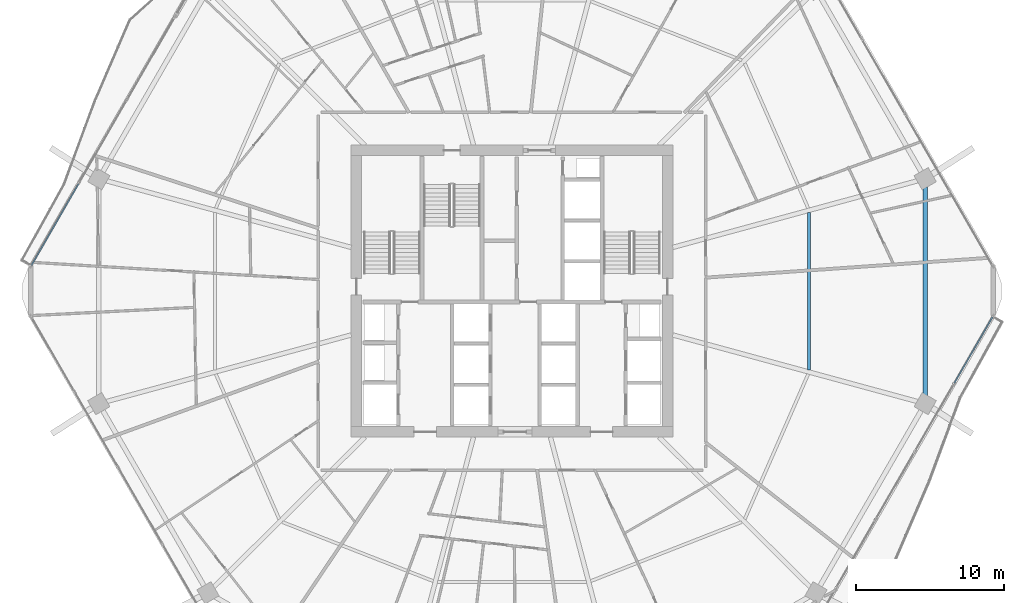
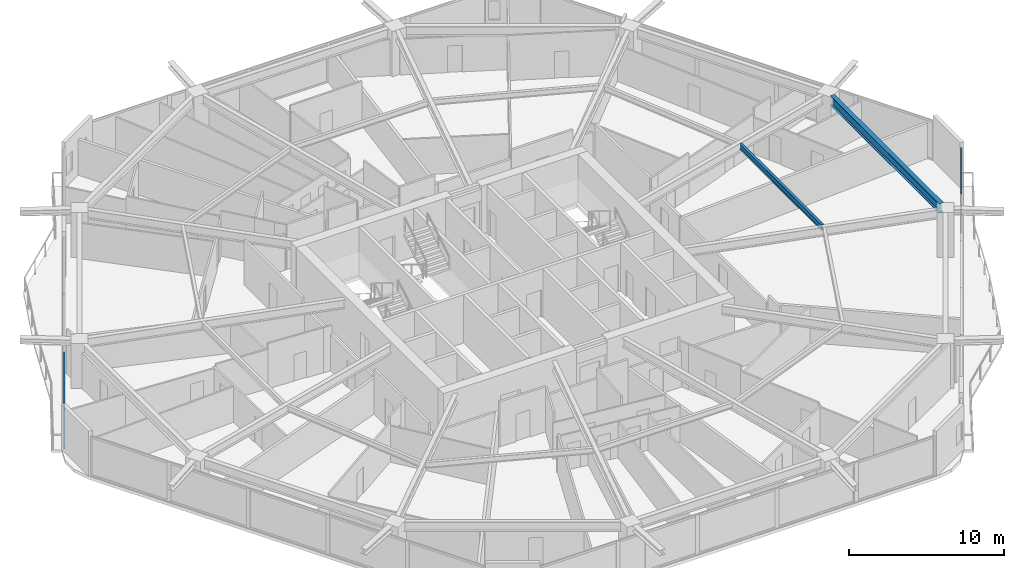
# One storey, part 12 of 33: 4 members, 2 beams, 2 elements without a shape of their own.
"""IFC4 building model written with IfcOpenShell, lengths in metres."""

import ifcopenshell
import ifcopenshell.guid

model = None  # the IFC model being written
_history = None  # IfcOwnerHistory: only IFC2X3 demands one
_inside = {}  # id of a spatial element -> (the spatial element, [elements in it])
_under = {}  # id of a project, library or spatial element -> (it, [spatial elements below it])
_declared = {}  # id of a project -> (the project, [libraries it declares])
_typed = {}  # id of a type object -> (the type object, [elements of that type])
_made_of = {}  # id of a material, layer set ... -> (it, [elements and type objects made of it])


def new_model(schema):
    """Start an empty IFC model of exactly this schema.

    Asked for "IFC4X3", IfcOpenShell would pick the latest addendum, in which some entities
    have other attributes; the version numbers below select the first issue.
    IFC2X3 requires an IfcOwnerHistory on every rooted entity: one is made here for all.
    """
    global model, _history
    if schema == "IFC4X3":
        model = ifcopenshell.file(schema_version=(4, 3, 0, 0))
    else:
        model = ifcopenshell.file(schema=schema)
    _inside.clear()
    _under.clear()
    _declared.clear()
    _typed.clear()
    _made_of.clear()
    _history = None
    if model.schema == "IFC2X3":
        org = make("IfcOrganization", Name="unknown")
        user = make(
            "IfcPersonAndOrganization",
            ThePerson=make("IfcPerson", FamilyName="unknown"),
            TheOrganization=org,
        )
        app = make(
            "IfcApplication",
            ApplicationDeveloper=org,
            Version="unknown",
            ApplicationFullName="unknown",
            ApplicationIdentifier="unknown",
        )
        _history = make(
            "IfcOwnerHistory",
            OwningUser=user,
            OwningApplication=app,
            ChangeAction="ADDED",
            CreationDate=0,
        )
    return model


def make(cls, **values):
    """One entity of the class cls with the attributes given. An attribute that is None is left unset."""
    return model.create_entity(
        cls, **{name: value for name, value in values.items() if value is not None}
    )


def rooted(cls, **values):
    """An entity with a GlobalId (a new one), such as an element, a storey or a relation."""
    return make(cls, GlobalId=ifcopenshell.guid.new(), OwnerHistory=_history, **values)


def si_unit(unit_type, name, prefix=None):
    """IfcSIUnit, for example si_unit("LENGTHUNIT", "METRE", prefix="MILLI")."""
    return make("IfcSIUnit", UnitType=unit_type, Prefix=prefix, Name=name)


def assignment(units):
    """IfcUnitAssignment: the units of a project."""
    return None if units is None else make("IfcUnitAssignment", Units=units)


def point(xyz):
    """IfcCartesianPoint."""
    return None if xyz is None else make("IfcCartesianPoint", Coordinates=xyz)


def direction(xyz):
    """IfcDirection."""
    return None if xyz is None else make("IfcDirection", DirectionRatios=xyz)


def frame(location, z_axis=None, x_axis=None):
    """IfcAxis2Placement3D, a coordinate frame: its origin and axes. An axis left out is left unset."""
    return make(
        "IfcAxis2Placement3D",
        Location=point(location),
        Axis=direction(z_axis),
        RefDirection=direction(x_axis),
    )


def frame_2d(location, x_axis=None):
    """IfcAxis2Placement2D, a coordinate frame in the plane: its origin and x axis."""
    return make(
        "IfcAxis2Placement2D", Location=point(location), RefDirection=direction(x_axis)
    )


def origin():
    """The frame at (0, 0, 0) with its axes left unset."""
    return frame((0.0, 0.0, 0.0))


def origin_2d():
    """The frame at (0, 0) in the plane with its x axis left unset."""
    return frame_2d((0.0, 0.0))


def place(relative_to, where):
    """IfcLocalPlacement: puts the frame where relative to a parent placement (None: the world)."""
    return make(
        "IfcLocalPlacement", PlacementRelTo=relative_to, RelativePlacement=where
    )


def context(
    kind, dimensions, precision=None, world=None, true_north=None, identifier=None
):
    """IfcGeometricRepresentationContext, for example the 3D "Model" context."""
    return make(
        "IfcGeometricRepresentationContext",
        ContextIdentifier=identifier,
        ContextType=kind,
        CoordinateSpaceDimension=dimensions,
        Precision=precision,
        WorldCoordinateSystem=world,
        TrueNorth=true_north,
    )


def subcontext(parent, identifier, kind, view, scale=None):
    """IfcGeometricRepresentationSubContext, for example "Body" below "Model"."""
    return make(
        "IfcGeometricRepresentationSubContext",
        ContextIdentifier=identifier,
        ContextType=kind,
        ParentContext=parent,
        TargetScale=scale,
        TargetView=view,
    )


def project(units=None, contexts=None):
    """IfcProject with its units and contexts."""
    return rooted(
        "IfcProject",
        Name="project",
        RepresentationContexts=contexts,
        UnitsInContext=assignment(units),
    )


def spatial(cls, under=None, at=None, **own):
    """A site, building, storey or space (cls), placed at a placement, below another one or the project."""
    s = rooted(cls, ObjectPlacement=at, **own)
    if under is not None:
        _under.setdefault(under.id(), (under, []))[1].append(s)
    return s


def profile(cls, at=None, kind="AREA", **sizes):
    """A parametric profile (cls). Its sizes go by their IFC names, for example OverallWidth=200.0."""
    return make(cls, ProfileType=kind, Position=at, **sizes)


def hollow_rectangle(**sizes):
    """IfcRectangleHollowProfileDef."""
    return profile("IfcRectangleHollowProfileDef", **sizes)


def i_section(**sizes):
    """IfcIShapeProfileDef."""
    return profile("IfcIShapeProfileDef", **sizes)


def extrude(swept, where, along, depth):
    """IfcExtrudedAreaSolid: the profile swept, set in the frame where, extruded along a direction by depth."""
    return make(
        "IfcExtrudedAreaSolid",
        SweptArea=swept,
        Position=where,
        ExtrudedDirection=direction(along),
        Depth=depth,
    )


def shape(context_of_items, identifier, shape_type, items):
    """IfcShapeRepresentation: the items that make up one representation, for example the "Body"."""
    return make(
        "IfcShapeRepresentation",
        ContextOfItems=context_of_items,
        RepresentationIdentifier=identifier,
        RepresentationType=shape_type,
        Items=items,
    )


def material(Name=None, Category=None):
    """IfcMaterial."""
    return make("IfcMaterial", Name=Name, Category=Category)


def material_profile(
    of_material, cross_section, Name=None, Category=None, Priority=None
):
    """IfcMaterialProfile: a cross section and its material."""
    return make(
        "IfcMaterialProfile",
        Name=Name,
        Material=of_material,
        Profile=cross_section,
        Priority=Priority,
        Category=Category,
    )


def profile_set(profiles, Name=None, composite=None):
    """IfcMaterialProfileSet."""
    return make(
        "IfcMaterialProfileSet",
        Name=Name,
        MaterialProfiles=profiles,
        CompositeProfile=composite,
    )


def made_of(thing, what):
    """Note that an element or type object is made of a material, layer set ...; save() writes the relation."""
    if what is not None:
        _made_of.setdefault(what.id(), (what, []))[1].append(thing)
    return thing


def type_object(cls, material=None, **own):
    """A type object (cls), such as IfcWallType, which elements share."""
    return made_of(rooted(cls, **own), material)


def element(
    cls,
    number,
    at=None,
    inside=None,
    cuts=None,
    type_object=None,
    material=None,
    context=None,
    identifier="Body",
    shape_type=None,
    held_by="IfcProductDefinitionShape",
    body=None,
    shapes=None,
    **own,
):
    """One element of the class cls, such as IfcWall. Its Tag is "e" and its number.

    at: its placement. inside: the storey or other place that contains it. cuts: it is an
    opening in that element (IfcRelVoidsElement). A single representation is given by context,
    identifier, shape_type and body (its items); several are given by shapes. held_by: the class
    of the entity that holds the representations. save() writes the other relations.
    """
    e = rooted(cls, Tag="e%d" % number, ObjectPlacement=at, **own)
    if body is not None:
        shapes = [shape(context, identifier, shape_type, body)]
    if shapes is not None:
        e.Representation = make(held_by, Representations=shapes)
    if inside is not None:
        _inside.setdefault(inside.id(), (inside, []))[1].append(e)
    if cuts is not None:
        rooted(
            "IfcRelVoidsElement", RelatingBuildingElement=cuts, RelatedOpeningElement=e
        )
    if type_object is not None:
        _typed.setdefault(type_object.id(), (type_object, []))[1].append(e)
    return made_of(e, material)


def aggregate(whole, parts):
    """IfcRelAggregates: a whole, such as a stair, and the parts it consists of."""
    return rooted("IfcRelAggregates", RelatingObject=whole, RelatedObjects=parts)


def save(model, path):
    """Write the relations noted so far, then the file.

    IfcRelAggregates (storeys below a building ...), IfcRelContainedInSpatialStructure (elements
    in a storey), IfcRelDefinesByType, IfcRelAssociatesMaterial and IfcRelDeclares: one each for
    every whole, place, type object, material and project.
    """
    for whole, parts in _under.values():
        aggregate(whole, parts)
    for where, things in _inside.values():
        rooted(
            "IfcRelContainedInSpatialStructure",
            RelatedElements=things,
            RelatingStructure=where,
        )
    for kind, things in _typed.values():
        rooted("IfcRelDefinesByType", RelatedObjects=things, RelatingType=kind)
    for what, things in _made_of.values():
        rooted("IfcRelAssociatesMaterial", RelatedObjects=things, RelatingMaterial=what)
    for by, libraries in _declared.values():
        rooted("IfcRelDeclares", RelatingContext=by, RelatedDefinitions=libraries)
    model.write(path)


model = new_model("IFC4")

# Units and contexts
model_context = context("Model", 3, precision=1e-05, world=origin(), true_north=direction((0.0, 1.0)))
body_context = subcontext(model_context, "Body", "Model", "MODEL_VIEW")
ifc_project = project(units=[si_unit("LENGTHUNIT", "METRE"), si_unit("AREAUNIT", "SQUARE_METRE"), si_unit("VOLUMEUNIT", "CUBIC_METRE"), si_unit("PLANEANGLEUNIT", "RADIAN"), si_unit("MASSUNIT", "GRAM", prefix="KILO")], contexts=[model_context])

# Site, building, storey
site_placement = place(None, origin())
site = spatial("IfcSite", under=ifc_project, at=site_placement, CompositionType="ELEMENT")
building_placement = place(site_placement, origin())
building = spatial("IfcBuilding", under=site, at=building_placement, Name="Zuhravey Tower", CompositionType="ELEMENT")
storey_placement = place(building_placement, frame((0.0, 0.0, 96.199951171875)))
storey = spatial("IfcBuildingStorey", under=building, at=storey_placement, Name="L23", CompositionType="ELEMENT", Elevation=96.199951171875)

# Curtain wall, members
ifc_material_1 = material(Name="Thermally broken anodised aluminium", Category="aluminium")
curtain_wall_type = type_object("IfcCurtainWallType", Name="Zone 1-2 Residential Curtain Wall CW3", PredefinedType="NOTDEFINED", material=ifc_material_1)
curtain_wall_1_placement = place(storey_placement, origin())
curtain_wall_1 = element("IfcCurtainWall", 1, at=curtain_wall_1_placement, inside=storey, type_object=curtain_wall_type, Name="L23 CW3 CW-L23-F6-1", PredefinedType="NOTDEFINED")
ifc_material_2 = material(Name="Anodised aluminium", Category="aluminium")
ifc_material_profile_1 = material_profile(ifc_material_2, hollow_rectangle(XDim=0.090087890625, YDim=0.14990234375, WallThickness=0.0048828125, at=origin_2d()), Name="ALU-RHS-90x150x5")
ifc_profile_set_1 = profile_set([ifc_material_profile_1], Name="Anodised aluminium")
member_type = type_object("IfcMemberType", Name="Curtain-Wall Transom 90x150", PredefinedType="USERDEFINED", material=ifc_profile_set_1)
member_1_placement = place(storey_placement, frame((68.43359375, 30.259521484375, 0.045166015625), z_axis=(-0.500022460696, -0.866012435707, 0.0), x_axis=(0.866012435707, -0.500022460696, 0.0)))
member_1 = element("IfcMember", 2, at=member_1_placement, type_object=member_type, Name="CW3 transom 1.1", ObjectType="TRANSOM", PredefinedType="USERDEFINED", context=body_context, shape_type="SweptSolid", body=[
    extrude(hollow_rectangle(XDim=0.090087890625, YDim=0.14990234375, WallThickness=0.0048828125, at=origin_2d()), origin(), (0.0, 0.0, 1.0), 5.165771484375),
])
member_2_placement = place(storey_placement, frame((68.43359375, 30.259521484375, 3.0771484375), z_axis=(-0.500022460696, -0.866012435707, 0.0), x_axis=(0.866012435707, -0.500022460696, 0.0)))
member_2 = element("IfcMember", 3, at=member_2_placement, type_object=member_type, Name="CW3 transom 1.2", ObjectType="TRANSOM", PredefinedType="USERDEFINED", context=body_context, shape_type="SweptSolid", body=[
    extrude(hollow_rectangle(XDim=0.090087890625, YDim=0.14990234375, WallThickness=0.0048828125, at=origin_2d()), origin(), (0.0, 0.0, 1.0), 5.165771484375),
])
aggregate(curtain_wall_1, [member_1, member_2])

curtain_wall_2_placement = place(storey_placement, origin())
curtain_wall_2 = element("IfcCurtainWall", 4, at=curtain_wall_2_placement, inside=storey, type_object=curtain_wall_type, Name="L23 CW3 CW-L23-F3-1", PredefinedType="NOTDEFINED")
member_3_placement = place(storey_placement, frame((3.56640625, 33.740478515625, 0.045166015625), z_axis=(0.500016846771, 0.866015677078, 0.0), x_axis=(-0.866015677078, 0.500016846771, 0.0)))
member_3 = element("IfcMember", 5, at=member_3_placement, type_object=member_type, Name="CW3 transom 1.1", ObjectType="TRANSOM", PredefinedType="USERDEFINED", context=body_context, shape_type="SweptSolid", body=[
    extrude(hollow_rectangle(XDim=0.090087890625, YDim=0.14990234375, WallThickness=0.0048828125, at=origin_2d()), origin(), (0.0, 0.0, 1.0), 6.364990234375),
])
member_4_placement = place(storey_placement, frame((3.56640625, 33.740478515625, 3.0771484375), z_axis=(0.500016846771, 0.866015677078, 0.0), x_axis=(-0.866015677078, 0.500016846771, 0.0)))
member_4 = element("IfcMember", 6, at=member_4_placement, type_object=member_type, Name="CW3 transom 1.2", ObjectType="TRANSOM", PredefinedType="USERDEFINED", context=body_context, shape_type="SweptSolid", body=[
    extrude(hollow_rectangle(XDim=0.090087890625, YDim=0.14990234375, WallThickness=0.0048828125, at=origin_2d()), origin(), (0.0, 0.0, 1.0), 6.364990234375),
])
aggregate(curtain_wall_2, [member_3, member_4])

# Beams
ifc_material_3 = material(Name="Steel SM355", Category="steel")
ifc_material_profile_2 = material_profile(ifc_material_3, i_section(OverallWidth=0.320068359375, OverallDepth=0.75, WebThickness=0.013916015625, FlangeThickness=0.02490234375, at=origin_2d()), Name="H-750x320x14x25")
ifc_profile_set_2 = profile_set([ifc_material_profile_2], Name="Steel SM355")
beam_type_1 = type_object("IfcBeamType", Name="Perimeter Ring Beam H750x320", PredefinedType="BEAM", material=ifc_profile_set_2)
beam_1_placement = place(storey_placement, frame((63.88916015625, 24.96142578125, 3.175048828125), z_axis=(0.0, 1.0, 0.0), x_axis=(-1.0, 0.0, 0.0)))
element("IfcBeam", 7, at=beam_1_placement, inside=storey, type_object=beam_type_1, Name="L23 PB1 BM-L23-PB-12", PredefinedType="BEAM", context=body_context, shape_type="SweptSolid", body=[
    extrude(i_section(OverallWidth=0.320068359375, OverallDepth=0.75, WebThickness=0.013916015625, FlangeThickness=0.02490234375, at=origin_2d()), origin(), (0.0, 0.0, 1.0), 14.0771484375),
])
ifc_material_profile_3 = material_profile(ifc_material_3, i_section(OverallWidth=0.199951171875, OverallDepth=0.449951171875, WebThickness=0.009033203125, FlangeThickness=0.013916015625, at=origin_2d()), Name="H-450x200x9x14")
ifc_profile_set_3 = profile_set([ifc_material_profile_3], Name="Steel SM355")
beam_type_2 = type_object("IfcBeamType", Name="Secondary Floor Joist H450x200", PredefinedType="JOIST", material=ifc_profile_set_3)
beam_2_placement = place(storey_placement, frame((56.052490234375, 26.695556640625, 3.324951171875), z_axis=(0.0, 1.0, 0.0), x_axis=(-1.0, 0.0, 0.0)))
element("IfcBeam", 8, at=beam_2_placement, inside=storey, type_object=beam_type_2, Name="L23 SJ1 BM-L23-SJ-12-1", PredefinedType="JOIST", context=body_context, shape_type="SweptSolid", body=[
    extrude(i_section(OverallWidth=0.199951171875, OverallDepth=0.449951171875, WebThickness=0.009033203125, FlangeThickness=0.013916015625, at=origin_2d()), origin(), (0.0, 0.0, 1.0), 10.60888671875),
])

save(model, "model.ifc")
